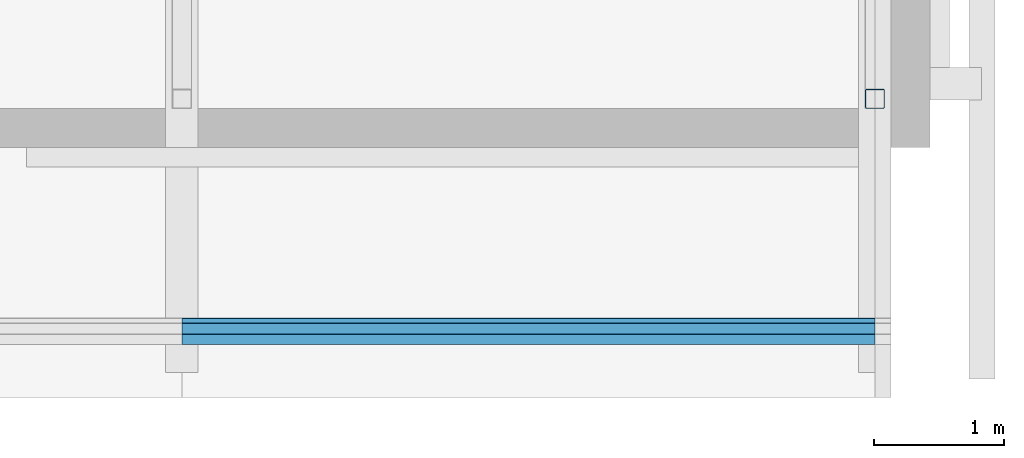
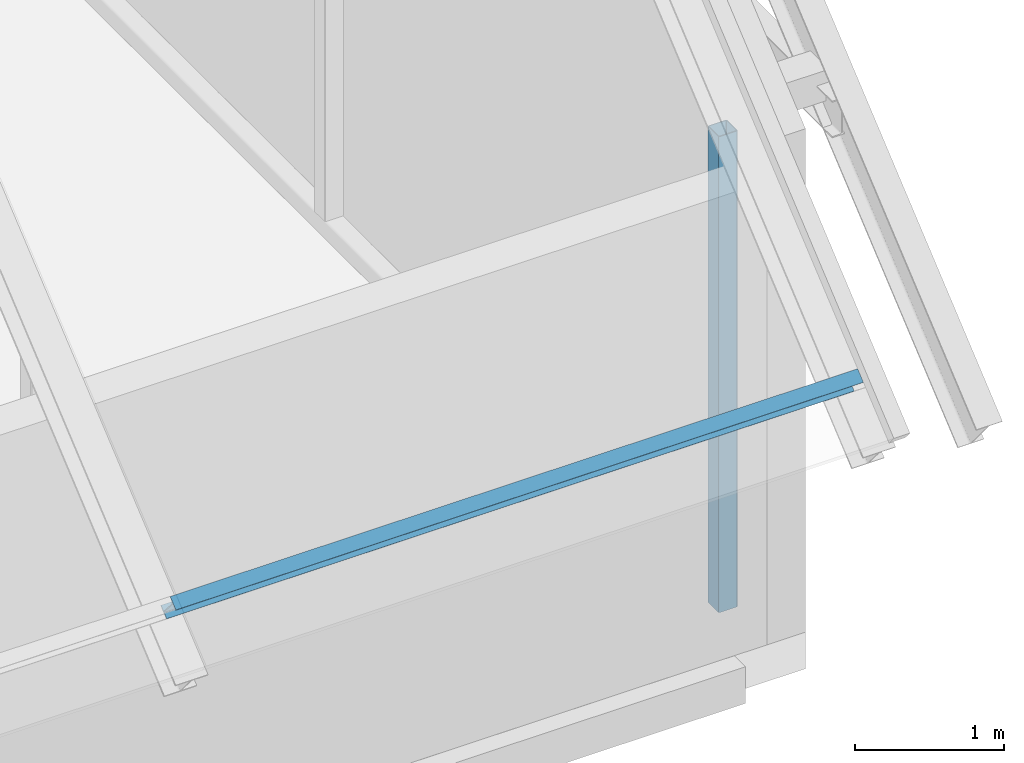
# One storey, part 8 of 29: 2 members.
"""IFC4 building model written with IfcOpenShell, lengths in metres."""

import ifcopenshell
import ifcopenshell.guid

model = None  # the IFC model being written
_history = None  # IfcOwnerHistory: only IFC2X3 demands one
_inside = {}  # id of a spatial element -> (the spatial element, [elements in it])
_under = {}  # id of a project, library or spatial element -> (it, [spatial elements below it])
_declared = {}  # id of a project -> (the project, [libraries it declares])
_typed = {}  # id of a type object -> (the type object, [elements of that type])
_made_of = {}  # id of a material, layer set ... -> (it, [elements and type objects made of it])


def new_model(schema):
    """Start an empty IFC model of exactly this schema.

    Asked for "IFC4X3", IfcOpenShell would pick the latest addendum, in which some entities
    have other attributes; the version numbers below select the first issue.
    IFC2X3 requires an IfcOwnerHistory on every rooted entity: one is made here for all.
    """
    global model, _history
    if schema == "IFC4X3":
        model = ifcopenshell.file(schema_version=(4, 3, 0, 0))
    else:
        model = ifcopenshell.file(schema=schema)
    _inside.clear()
    _under.clear()
    _declared.clear()
    _typed.clear()
    _made_of.clear()
    _history = None
    if model.schema == "IFC2X3":
        org = make("IfcOrganization", Name="unknown")
        user = make(
            "IfcPersonAndOrganization",
            ThePerson=make("IfcPerson", FamilyName="unknown"),
            TheOrganization=org,
        )
        app = make(
            "IfcApplication",
            ApplicationDeveloper=org,
            Version="unknown",
            ApplicationFullName="unknown",
            ApplicationIdentifier="unknown",
        )
        _history = make(
            "IfcOwnerHistory",
            OwningUser=user,
            OwningApplication=app,
            ChangeAction="ADDED",
            CreationDate=0,
        )
    return model


def make(cls, **values):
    """One entity of the class cls with the attributes given. An attribute that is None is left unset."""
    return model.create_entity(
        cls, **{name: value for name, value in values.items() if value is not None}
    )


def rooted(cls, **values):
    """An entity with a GlobalId (a new one), such as an element, a storey or a relation."""
    return make(cls, GlobalId=ifcopenshell.guid.new(), OwnerHistory=_history, **values)


def si_unit(unit_type, name, prefix=None):
    """IfcSIUnit, for example si_unit("LENGTHUNIT", "METRE", prefix="MILLI")."""
    return make("IfcSIUnit", UnitType=unit_type, Prefix=prefix, Name=name)


def assignment(units):
    """IfcUnitAssignment: the units of a project."""
    return None if units is None else make("IfcUnitAssignment", Units=units)


def point(xyz):
    """IfcCartesianPoint."""
    return None if xyz is None else make("IfcCartesianPoint", Coordinates=xyz)


def direction(xyz):
    """IfcDirection."""
    return None if xyz is None else make("IfcDirection", DirectionRatios=xyz)


def frame(location, z_axis=None, x_axis=None):
    """IfcAxis2Placement3D, a coordinate frame: its origin and axes. An axis left out is left unset."""
    return make(
        "IfcAxis2Placement3D",
        Location=point(location),
        Axis=direction(z_axis),
        RefDirection=direction(x_axis),
    )


def frame_2d(location, x_axis=None):
    """IfcAxis2Placement2D, a coordinate frame in the plane: its origin and x axis."""
    return make(
        "IfcAxis2Placement2D", Location=point(location), RefDirection=direction(x_axis)
    )


def origin():
    """The frame at (0, 0, 0) with its axes left unset."""
    return frame((0.0, 0.0, 0.0))


def origin_2d():
    """The frame at (0, 0) in the plane with its x axis left unset."""
    return frame_2d((0.0, 0.0))


def place(relative_to, where):
    """IfcLocalPlacement: puts the frame where relative to a parent placement (None: the world)."""
    return make(
        "IfcLocalPlacement", PlacementRelTo=relative_to, RelativePlacement=where
    )


def context(
    kind, dimensions, precision=None, world=None, true_north=None, identifier=None
):
    """IfcGeometricRepresentationContext, for example the 3D "Model" context."""
    return make(
        "IfcGeometricRepresentationContext",
        ContextIdentifier=identifier,
        ContextType=kind,
        CoordinateSpaceDimension=dimensions,
        Precision=precision,
        WorldCoordinateSystem=world,
        TrueNorth=true_north,
    )


def subcontext(parent, identifier, kind, view, scale=None):
    """IfcGeometricRepresentationSubContext, for example "Body" below "Model"."""
    return make(
        "IfcGeometricRepresentationSubContext",
        ContextIdentifier=identifier,
        ContextType=kind,
        ParentContext=parent,
        TargetScale=scale,
        TargetView=view,
    )


def project(units=None, contexts=None):
    """IfcProject with its units and contexts."""
    return rooted(
        "IfcProject",
        Name="project",
        RepresentationContexts=contexts,
        UnitsInContext=assignment(units),
    )


def spatial(cls, under=None, at=None, **own):
    """A site, building, storey or space (cls), placed at a placement, below another one or the project."""
    s = rooted(cls, ObjectPlacement=at, **own)
    if under is not None:
        _under.setdefault(under.id(), (under, []))[1].append(s)
    return s


def profile(cls, at=None, kind="AREA", **sizes):
    """A parametric profile (cls). Its sizes go by their IFC names, for example OverallWidth=200.0."""
    return make(cls, ProfileType=kind, Position=at, **sizes)


def hollow_rectangle(**sizes):
    """IfcRectangleHollowProfileDef."""
    return profile("IfcRectangleHollowProfileDef", **sizes)


def i_section(**sizes):
    """IfcIShapeProfileDef."""
    return profile("IfcIShapeProfileDef", **sizes)


def extrude(swept, where, along, depth):
    """IfcExtrudedAreaSolid: the profile swept, set in the frame where, extruded along a direction by depth."""
    return make(
        "IfcExtrudedAreaSolid",
        SweptArea=swept,
        Position=where,
        ExtrudedDirection=direction(along),
        Depth=depth,
    )


def shape(context_of_items, identifier, shape_type, items):
    """IfcShapeRepresentation: the items that make up one representation, for example the "Body"."""
    return make(
        "IfcShapeRepresentation",
        ContextOfItems=context_of_items,
        RepresentationIdentifier=identifier,
        RepresentationType=shape_type,
        Items=items,
    )


def material(Name=None, Category=None):
    """IfcMaterial."""
    return make("IfcMaterial", Name=Name, Category=Category)


def material_profile(
    of_material, cross_section, Name=None, Category=None, Priority=None
):
    """IfcMaterialProfile: a cross section and its material."""
    return make(
        "IfcMaterialProfile",
        Name=Name,
        Material=of_material,
        Profile=cross_section,
        Priority=Priority,
        Category=Category,
    )


def profile_set(profiles, Name=None, composite=None):
    """IfcMaterialProfileSet."""
    return make(
        "IfcMaterialProfileSet",
        Name=Name,
        MaterialProfiles=profiles,
        CompositeProfile=composite,
    )


def made_of(thing, what):
    """Note that an element or type object is made of a material, layer set ...; save() writes the relation."""
    if what is not None:
        _made_of.setdefault(what.id(), (what, []))[1].append(thing)
    return thing


def type_object(cls, material=None, **own):
    """A type object (cls), such as IfcWallType, which elements share."""
    return made_of(rooted(cls, **own), material)


def element(
    cls,
    number,
    at=None,
    inside=None,
    cuts=None,
    type_object=None,
    material=None,
    context=None,
    identifier="Body",
    shape_type=None,
    held_by="IfcProductDefinitionShape",
    body=None,
    shapes=None,
    **own,
):
    """One element of the class cls, such as IfcWall. Its Tag is "e" and its number.

    at: its placement. inside: the storey or other place that contains it. cuts: it is an
    opening in that element (IfcRelVoidsElement). A single representation is given by context,
    identifier, shape_type and body (its items); several are given by shapes. held_by: the class
    of the entity that holds the representations. save() writes the other relations.
    """
    e = rooted(cls, Tag="e%d" % number, ObjectPlacement=at, **own)
    if body is not None:
        shapes = [shape(context, identifier, shape_type, body)]
    if shapes is not None:
        e.Representation = make(held_by, Representations=shapes)
    if inside is not None:
        _inside.setdefault(inside.id(), (inside, []))[1].append(e)
    if cuts is not None:
        rooted(
            "IfcRelVoidsElement", RelatingBuildingElement=cuts, RelatedOpeningElement=e
        )
    if type_object is not None:
        _typed.setdefault(type_object.id(), (type_object, []))[1].append(e)
    return made_of(e, material)


def aggregate(whole, parts):
    """IfcRelAggregates: a whole, such as a stair, and the parts it consists of."""
    return rooted("IfcRelAggregates", RelatingObject=whole, RelatedObjects=parts)


def save(model, path):
    """Write the relations noted so far, then the file.

    IfcRelAggregates (storeys below a building ...), IfcRelContainedInSpatialStructure (elements
    in a storey), IfcRelDefinesByType, IfcRelAssociatesMaterial and IfcRelDeclares: one each for
    every whole, place, type object, material and project.
    """
    for whole, parts in _under.values():
        aggregate(whole, parts)
    for where, things in _inside.values():
        rooted(
            "IfcRelContainedInSpatialStructure",
            RelatedElements=things,
            RelatingStructure=where,
        )
    for kind, things in _typed.values():
        rooted("IfcRelDefinesByType", RelatedObjects=things, RelatingType=kind)
    for what, things in _made_of.values():
        rooted("IfcRelAssociatesMaterial", RelatedObjects=things, RelatingMaterial=what)
    for by, libraries in _declared.values():
        rooted("IfcRelDeclares", RelatingContext=by, RelatedDefinitions=libraries)
    model.write(path)


model = new_model("IFC4")

# Units and contexts
model_context = context("Model", 3, precision=1e-05, world=origin(), true_north=direction((0.0, 1.0)))
body_context = subcontext(model_context, "Body", "Model", "MODEL_VIEW")
ifc_project = project(units=[si_unit("LENGTHUNIT", "METRE"), si_unit("AREAUNIT", "SQUARE_METRE"), si_unit("VOLUMEUNIT", "CUBIC_METRE"), si_unit("PLANEANGLEUNIT", "RADIAN"), si_unit("MASSUNIT", "GRAM", prefix="KILO")], contexts=[model_context])

# Site, building, storey
site_placement = place(None, origin())
site = spatial("IfcSite", under=ifc_project, at=site_placement, CompositionType="ELEMENT")
building_placement = place(site_placement, origin())
building = spatial("IfcBuilding", under=site, at=building_placement, Name="Silangan Lancet Faculty of Sciences", CompositionType="ELEMENT")
storey_placement = place(building_placement, frame((0.0, 0.0, 54.300048828125)))
storey = spatial("IfcBuildingStorey", under=building, at=storey_placement, Name="L11", CompositionType="ELEMENT", Elevation=54.300048828125)

# Members
ifc_material_1 = material(Name="Steel SS400", Category="steel")
ifc_material_profile_1 = material_profile(ifc_material_1, i_section(OverallWidth=0.10009765625, OverallDepth=0.199951171875, WebThickness=0.005615234375, FlangeThickness=0.008056640625, FilletRadius=0.008056640625, at=origin_2d()), Name="H 200x100x5.5x8")
ifc_profile_set_1 = profile_set([ifc_material_profile_1], Name="Steel SS400")
member_type_1 = type_object("IfcMemberType", Name="Sheeting purlin H 200x100x5.5x8", PredefinedType="PURLIN", material=ifc_profile_set_1)
member_1_placement = place(storey_placement, frame((23.19384765625, 34.43798828125, 3.071044921875), z_axis=(1.0, 0.0, 0.0), x_axis=(0.0, 0.765704867842, 0.64319208279)))
element("IfcMember", 1, at=member_1_placement, inside=storey, type_object=member_type_1, Name="Gable purlin 5S1", PredefinedType="PURLIN", context=body_context, shape_type="SweptSolid", body=[
    extrude(i_section(OverallWidth=0.10009765625, OverallDepth=0.199951171875, WebThickness=0.005615234375, FlangeThickness=0.008056640625, FilletRadius=0.008056640625, at=origin_2d()), origin(), (0.0, 0.0, 1.0), 5.3310546875),
])
ifc_material_2 = material(Name="Steel STKR400", Category="steel")
ifc_material_profile_2 = material_profile(ifc_material_2, hollow_rectangle(XDim=0.14990234375, YDim=0.14990234375, WallThickness=0.006103515625, InnerFilletRadius=0.006103515625, OuterFilletRadius=0.011962890625, at=origin_2d()), Name="SHS 150x150x6.0")
ifc_profile_set_2 = profile_set([ifc_material_profile_2], Name="Steel STKR400")
member_type_2 = type_object("IfcMemberType", Name="Truss post SHS 150x150x6.0", PredefinedType="POST", material=ifc_profile_set_2)
member_2_placement = place(storey_placement, frame((28.52490234375, 36.22509765625, 0.14990234375), z_axis=(0.0, 0.0, 1.0), x_axis=(1.0, 0.0, 0.0)))
element("IfcMember", 2, at=member_2_placement, inside=storey, type_object=member_type_2, Name="Gable truss 5 eave post S", PredefinedType="POST", context=body_context, shape_type="SweptSolid", body=[
    extrude(hollow_rectangle(XDim=0.14990234375, YDim=0.14990234375, WallThickness=0.006103515625, InnerFilletRadius=0.006103515625, OuterFilletRadius=0.011962890625, at=origin_2d()), origin(), (0.0, 0.0, 1.0), 3.902099609375),
])

save(model, "model.ifc")
